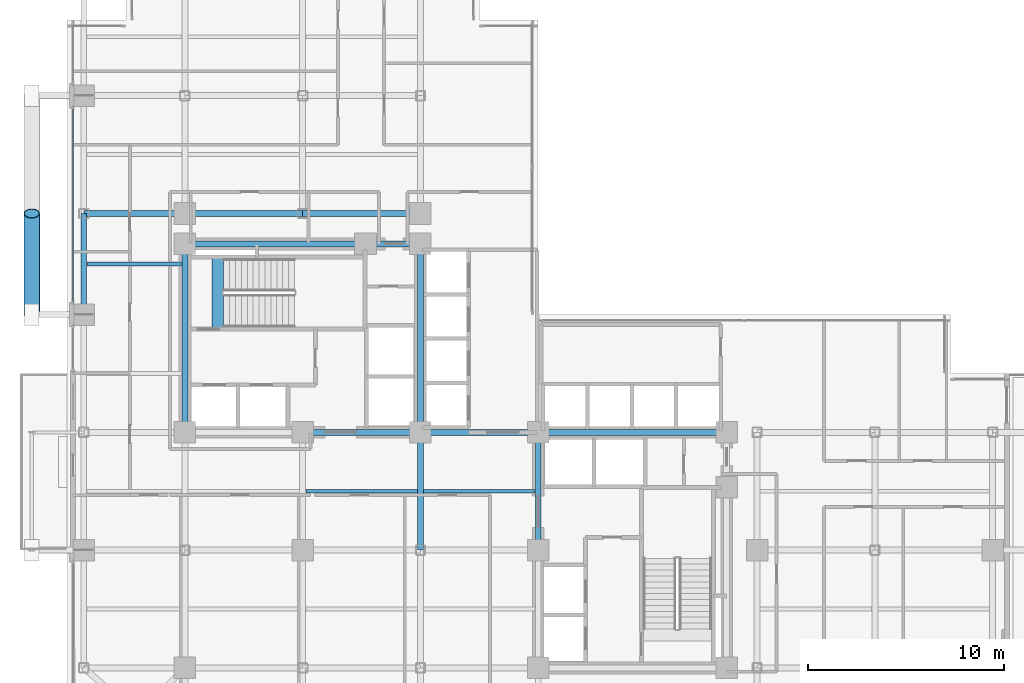
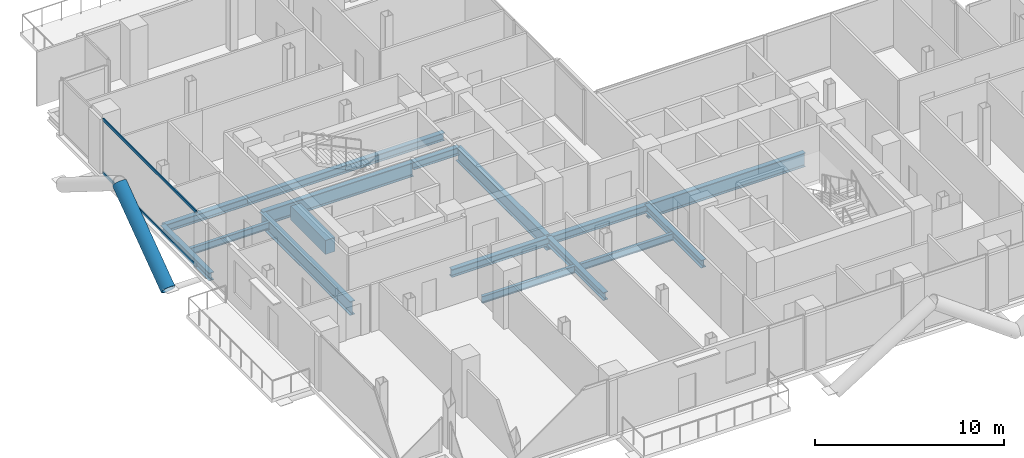
# One storey, part 7 of 26: 17 beams, 3 members, 1 element without a shape of its own.
"""IFC4 building model written with IfcOpenShell, lengths in metres."""

from ifc_helpers import new_model, si_unit, direction, frame, origin, origin_2d, place, context, subcontext, project, spatial, rectangle, hollow_rectangle, hollow_circle, i_section, extrude, material, layer, layer_set, material_profile, profile_set, type_object, element, aggregate, save


model = new_model("IFC4")

# Units and contexts
model_context = context("Model", 3, precision=1e-05, world=origin(), true_north=direction((0.0, 1.0)))
body_context = subcontext(model_context, "Body", "Model", "MODEL_VIEW")
ifc_project = project(units=[si_unit("LENGTHUNIT", "METRE"), si_unit("AREAUNIT", "SQUARE_METRE"), si_unit("VOLUMEUNIT", "CUBIC_METRE"), si_unit("PLANEANGLEUNIT", "RADIAN"), si_unit("MASSUNIT", "GRAM", prefix="KILO"), si_unit("THERMODYNAMICTEMPERATUREUNIT", "KELVIN"), si_unit("POWERUNIT", "WATT")], contexts=[model_context])

# Site, building, storey
site_placement = place(None, origin())
site = spatial("IfcSite", under=ifc_project, at=site_placement, CompositionType="ELEMENT")
building_placement = place(site_placement, origin())
building = spatial("IfcBuilding", under=site, at=building_placement, Name="Svarakhadi Broadcast Tower", CompositionType="ELEMENT")
storey_placement = place(building_placement, frame((0.0, 0.0, 99.60009765625)))
storey = spatial("IfcBuildingStorey", under=building, at=storey_placement, Name="L23", CompositionType="ELEMENT", Elevation=99.60009765625)

# Beams
ifc_material_1 = material(Name="Steel S355J2 (IS 2062 E350C)", Category="steel")
ifc_material_profile_1 = material_profile(ifc_material_1, i_section(OverallWidth=0.18994140625, OverallDepth=0.449951171875, WebThickness=0.009521484375, FlangeThickness=0.0146484375, FilletRadius=0.02099609375, at=origin_2d()), Name="NPB 450x190x78")
ifc_profile_set_1 = profile_set([ifc_material_profile_1], Name="Steel S355J2 (IS 2062 E350C)")
beam_type_1 = type_object("IfcBeamType", Name="Beam_NPB450", PredefinedType="BEAM", material=ifc_profile_set_1)
beam_1_placement = place(storey_placement, frame((1.010009765625, 26.574951171875, -0.4501953125), z_axis=(1.0, 0.0, 0.0), x_axis=(0.0, 1.0, 0.0)))
element("IfcBeam", 1, at=beam_1_placement, inside=storey, type_object=beam_type_1, Name="L23 Secondary Composite Beam SB004", PredefinedType="BEAM", context=body_context, shape_type="SweptSolid", body=[
    extrude(i_section(OverallWidth=0.18994140625, OverallDepth=0.449951171875, WebThickness=0.009521484375, FlangeThickness=0.0146484375, FilletRadius=0.02099609375, at=origin_2d()), origin(), (0.0, 0.0, 1.0), 4.830078125),
])
for number, where, z_axis, x_axis, name in (
    (2, (12.159912109375, 15.0, -0.4501953125), (1.0, 0.0, 0.0), (0.0, 1.0, 0.0), "L23 Secondary Composite Beam SB014"),
    (3, (18.159912109375, 15.0, -0.4501953125), (1.0, 0.0, 0.0), (0.0, 1.0, 0.0), "L23 Secondary Composite Beam SB019"),
):
    element("IfcBeam", number, at=place(storey_placement, frame(where, z_axis=z_axis, x_axis=x_axis)), inside=storey, type_object=beam_type_1, Name=name, PredefinedType="BEAM", context=body_context, shape_type="SweptSolid", body=[
        extrude(i_section(OverallWidth=0.18994140625, OverallDepth=0.449951171875, WebThickness=0.009521484375, FlangeThickness=0.0146484375, FilletRadius=0.02099609375, at=origin_2d()), origin(), (0.0, 0.0, 1.0), 5.68017578125),
    ])

# Curtain wall, members
ifc_material_2 = material(Name="Anodised Bronze Aluminium AA 6063-T6", Category="aluminium")
ifc_layer = layer(ifc_material_2, 0.199951171875)
ifc_layer_set = layer_set([ifc_layer], Name="Anodised Bronze Aluminium AA 6063-T6")
curtain_wall_type = type_object("IfcCurtainWallType", Name="CW_Sys_03", PredefinedType="NOTDEFINED", material=ifc_layer_set)
curtain_wall_placement = place(storey_placement, origin())
curtain_wall = element("IfcCurtainWall", 4, at=curtain_wall_placement, inside=storey, type_object=curtain_wall_type, Name="L23 West Curtain Wall 03 Bay 2", PredefinedType="NOTDEFINED")
ifc_material_profile_2 = material_profile(ifc_material_2, hollow_rectangle(XDim=0.070068359375, YDim=0.18505859375, WallThickness=0.0048828125, at=origin_2d()), Name="ALU TRANSOM 185x70x5")
ifc_profile_set_2 = profile_set([ifc_material_profile_2], Name="Anodised Bronze Aluminium AA 6063-T6")
member_type_1 = type_object("IfcMemberType", Name="CW_Sys_03_Trn", PredefinedType="USERDEFINED", material=ifc_profile_set_2)
member_1_placement = place(storey_placement, frame((0.300048828125, 24.64501953125, 0.034912109375), z_axis=(0.0, 1.0, 0.0), x_axis=(-1.0, 0.0, 0.0)))
member_1 = element("IfcMember", 5, at=member_1_placement, type_object=member_type_1, Name="CW-03 transom 1.1", ObjectType="TRANSOM", PredefinedType="USERDEFINED", context=body_context, shape_type="SweptSolid", body=[
    extrude(hollow_rectangle(XDim=0.070068359375, YDim=0.18505859375, WallThickness=0.0048828125, at=origin_2d()), origin(), (0.0, 0.0, 1.0), 9.85986328125),
])
member_2_placement = place(storey_placement, frame((0.300048828125, 24.64501953125, 3.489990234375), z_axis=(0.0, 1.0, 0.0), x_axis=(-1.0, 0.0, 0.0)))
member_2 = element("IfcMember", 6, at=member_2_placement, type_object=member_type_1, Name="CW-03 transom 1.2", ObjectType="TRANSOM", PredefinedType="USERDEFINED", context=body_context, shape_type="SweptSolid", body=[
    extrude(hollow_rectangle(XDim=0.070068359375, YDim=0.18505859375, WallThickness=0.0048828125, at=origin_2d()), origin(), (0.0, 0.0, 1.0), 9.85986328125),
])
aggregate(curtain_wall, [member_1, member_2])

# Beam
ifc_material_3 = material(Name="Concrete C50/60 (IS 456 M60)", Category="concrete")
ifc_material_profile_3 = material_profile(ifc_material_3, rectangle(XDim=0.60009765625, YDim=0.89990234375, at=origin_2d()), Name="RC 600x900")
ifc_profile_set_3 = profile_set([ifc_material_profile_3], Name="Concrete C50/60 (IS 456 M60)")
beam_type_2 = type_object("IfcBeamType", Name="Coupling_RC600", PredefinedType="USERDEFINED", material=ifc_profile_set_3)
beam_2_placement = place(storey_placement, frame((7.679931640625, 23.260009765625, -0.4501953125), z_axis=(0.0, 1.0, 0.0), x_axis=(-1.0, 0.0, 0.0)))
element("IfcBeam", 7, at=beam_2_placement, inside=storey, type_object=beam_type_2, Name="L23 Stair ST-01 Landing Throat Trimmer Beam CB-01", ObjectType="GIRDER", PredefinedType="USERDEFINED", context=body_context, shape_type="SweptSolid", body=[
    extrude(rectangle(XDim=0.60009765625, YDim=0.89990234375, at=origin_2d()), origin(), (0.0, 0.0, 1.0), 3.679931640625),
])

# Member
ifc_material_4 = material(Name="Steel S460ML (IS 2062 E450BR)", Category="steel")
ifc_material_profile_4 = material_profile(ifc_material_4, hollow_circle(Radius=0.406494140625, WallThickness=0.0400390625, at=origin_2d()), Name="CHS 813x40")
ifc_profile_set_4 = profile_set([ifc_material_profile_4], Name="Steel S460ML (IS 2062 E450BR)")
member_type_2 = type_object("IfcMemberType", Name="Exo_Brace_CHS813", PredefinedType="BRACE", material=ifc_profile_set_4)
member_3_placement = place(storey_placement, frame((-1.800048828125, 24.0, -0.386962890625), z_axis=(0.0, 0.808391243061, 0.588645562407), x_axis=(-1.0, 0.0, 0.0)))
element("IfcMember", 8, at=member_3_placement, inside=storey, type_object=member_type_2, Name="L23 Exposed Bronze Exoskeleton Diagonal W04", PredefinedType="BRACE", context=body_context, shape_type="SweptSolid", body=[
    extrude(hollow_circle(Radius=0.406494140625, WallThickness=0.0400390625, at=origin_2d()), origin(), (0.0, 0.0, 1.0), 6.37060546875),
])

# Beams
ifc_material_profile_5 = material_profile(ifc_material_1, i_section(OverallWidth=0.300048828125, OverallDepth=0.5, WebThickness=0.014404296875, FlangeThickness=0.028076171875, FilletRadius=0.027099609375, at=origin_2d()), Name="WPB 500x300x187")
ifc_profile_set_5 = profile_set([ifc_material_profile_5], Name="Steel S355J2 (IS 2062 E350C)")
beam_type_3 = type_object("IfcBeamType", Name="Girder_WPB500", PredefinedType="USERDEFINED", material=ifc_profile_set_5)
for number, where, z_axis, x_axis, name in (
    (9, (12.0, 18.0, -0.47509765625), (1.0, 0.0, 0.0), (0.0, 1.0, 0.0), "L23 Primary E-W Girder G026"),
    (10, (18.0, 18.0, -0.47509765625), (1.0, 0.0, 0.0), (0.0, 1.0, 0.0), "L23 Primary E-W Girder G027"),
):
    element("IfcBeam", number, at=place(storey_placement, frame(where, z_axis=z_axis, x_axis=x_axis)), inside=storey, type_object=beam_type_3, Name=name, ObjectType="GIRDER", PredefinedType="USERDEFINED", context=body_context, shape_type="SweptSolid", body=[
        extrude(i_section(OverallWidth=0.300048828125, OverallDepth=0.5, WebThickness=0.014404296875, FlangeThickness=0.028076171875, FilletRadius=0.027099609375, at=origin_2d()), origin(), (0.0, 0.0, 1.0), 6.0),
    ])
beam_3_placement = place(storey_placement, frame((15.199951171875, 27.60009765625, -0.47509765625), z_axis=(1.0, 0.0, 0.0), x_axis=(0.0, 1.0, 0.0)))
element("IfcBeam", 11, at=beam_3_placement, inside=storey, type_object=beam_type_3, Name="L23 Primary E-W Girder G032", ObjectType="GIRDER", PredefinedType="USERDEFINED", context=body_context, shape_type="SweptSolid", body=[
    extrude(i_section(OverallWidth=0.300048828125, OverallDepth=0.5, WebThickness=0.014404296875, FlangeThickness=0.028076171875, FilletRadius=0.027099609375, at=origin_2d()), origin(), (0.0, 0.0, 1.0), 2.800048828125),
])
beam_4_placement = place(storey_placement, frame((0.85009765625, 29.14990234375, -0.47509765625), z_axis=(1.0, 0.0, 0.0), x_axis=(0.0, 1.0, 0.0)))
element("IfcBeam", 12, at=beam_4_placement, inside=storey, type_object=beam_type_3, Name="L23 Primary E-W Girder G033", ObjectType="GIRDER", PredefinedType="USERDEFINED", context=body_context, shape_type="SweptSolid", body=[
    extrude(i_section(OverallWidth=0.300048828125, OverallDepth=0.5, WebThickness=0.014404296875, FlangeThickness=0.028076171875, FilletRadius=0.027099609375, at=origin_2d()), origin(), (0.0, 0.0, 1.0), 5.14990234375),
])
for number, where, z_axis, x_axis, name in (
    (13, (6.0, 29.14990234375, -0.47509765625), (1.0, 0.0, 0.0), (0.0, 1.0, 0.0), "L23 Primary E-W Girder G034"),
    (14, (12.0, 29.14990234375, -0.47509765625), (1.0, 0.0, 0.0), (0.0, 1.0, 0.0), "L23 Primary E-W Girder G035"),
):
    element("IfcBeam", number, at=place(storey_placement, frame(where, z_axis=z_axis, x_axis=x_axis)), inside=storey, type_object=beam_type_3, Name=name, ObjectType="GIRDER", PredefinedType="USERDEFINED", context=body_context, shape_type="SweptSolid", body=[
        extrude(i_section(OverallWidth=0.300048828125, OverallDepth=0.5, WebThickness=0.014404296875, FlangeThickness=0.028076171875, FilletRadius=0.027099609375, at=origin_2d()), origin(), (0.0, 0.0, 1.0), 6.0),
    ])
beam_5_placement = place(storey_placement, frame((0.85009765625, 24.0, -0.47509765625), z_axis=(0.0, 1.0, 0.0), x_axis=(-1.0, 0.0, 0.0)))
element("IfcBeam", 15, at=beam_5_placement, inside=storey, type_object=beam_type_3, Name="L23 Primary N-S Girder G045", ObjectType="GIRDER", PredefinedType="USERDEFINED", context=body_context, shape_type="SweptSolid", body=[
    extrude(i_section(OverallWidth=0.300048828125, OverallDepth=0.5, WebThickness=0.014404296875, FlangeThickness=0.028076171875, FilletRadius=0.027099609375, at=origin_2d()), origin(), (0.0, 0.0, 1.0), 5.14990234375),
])
for number, where, z_axis, x_axis, name in (
    (16, (18.0, 12.0, -0.47509765625), (0.0, 1.0, 0.0), (-1.0, 0.0, 0.0), "L23 Primary N-S Girder G061"),
    (17, (24.0, 12.0, -0.47509765625), (0.0, 1.0, 0.0), (-1.0, 0.0, 0.0), "L23 Primary N-S Girder G067"),
):
    element("IfcBeam", number, at=place(storey_placement, frame(where, z_axis=z_axis, x_axis=x_axis)), inside=storey, type_object=beam_type_3, Name=name, ObjectType="GIRDER", PredefinedType="USERDEFINED", context=body_context, shape_type="SweptSolid", body=[
        extrude(i_section(OverallWidth=0.300048828125, OverallDepth=0.5, WebThickness=0.014404296875, FlangeThickness=0.028076171875, FilletRadius=0.027099609375, at=origin_2d()), origin(), (0.0, 0.0, 1.0), 6.0),
    ])
ifc_material_profile_6 = material_profile(ifc_material_4, i_section(OverallWidth=0.300048828125, OverallDepth=0.89990234375, WebThickness=0.0185546875, FlangeThickness=0.034912109375, FilletRadius=0.030029296875, at=origin_2d()), Name="WPB 900x300x291")
ifc_profile_set_6 = profile_set([ifc_material_profile_6], Name="Steel S460ML (IS 2062 E450BR)")
beam_type_4 = type_object("IfcBeamType", Name="Girder_WPB900", PredefinedType="USERDEFINED", material=ifc_profile_set_6)
beam_6_placement = place(storey_placement, frame((24.0, 18.0, -0.675048828125), z_axis=(1.0, 0.0, 0.0), x_axis=(0.0, 1.0, 0.0)))
element("IfcBeam", 18, at=beam_6_placement, inside=storey, type_object=beam_type_4, Name="L23 Primary E-W Girder G028", ObjectType="GIRDER", PredefinedType="USERDEFINED", context=body_context, shape_type="SweptSolid", body=[
    extrude(i_section(OverallWidth=0.300048828125, OverallDepth=0.89990234375, WebThickness=0.0185546875, FlangeThickness=0.034912109375, FilletRadius=0.030029296875, at=origin_2d()), origin(), (0.0, 0.0, 1.0), 9.60009765625),
])
beam_7_placement = place(storey_placement, frame((6.0, 27.60009765625, -0.675048828125), z_axis=(1.0, 0.0, 0.0), x_axis=(0.0, 1.0, 0.0)))
element("IfcBeam", 19, at=beam_7_placement, inside=storey, type_object=beam_type_4, Name="L23 Primary E-W Girder G031", ObjectType="GIRDER", PredefinedType="USERDEFINED", context=body_context, shape_type="SweptSolid", body=[
    extrude(i_section(OverallWidth=0.300048828125, OverallDepth=0.89990234375, WebThickness=0.0185546875, FlangeThickness=0.034912109375, FilletRadius=0.030029296875, at=origin_2d()), origin(), (0.0, 0.0, 1.0), 9.199951171875),
])
for number, where, z_axis, x_axis, name in (
    (20, (6.0, 18.0, -0.675048828125), (0.0, 1.0, 0.0), (-1.0, 0.0, 0.0), "L23 Primary N-S Girder G051"),
    (21, (18.0, 18.0, -0.675048828125), (0.0, 1.0, 0.0), (-1.0, 0.0, 0.0), "L23 Primary N-S Girder G062"),
):
    element("IfcBeam", number, at=place(storey_placement, frame(where, z_axis=z_axis, x_axis=x_axis)), inside=storey, type_object=beam_type_4, Name=name, ObjectType="GIRDER", PredefinedType="USERDEFINED", context=body_context, shape_type="SweptSolid", body=[
        extrude(i_section(OverallWidth=0.300048828125, OverallDepth=0.89990234375, WebThickness=0.0185546875, FlangeThickness=0.034912109375, FilletRadius=0.030029296875, at=origin_2d()), origin(), (0.0, 0.0, 1.0), 9.60009765625),
    ])

save(model, "model.ifc")
